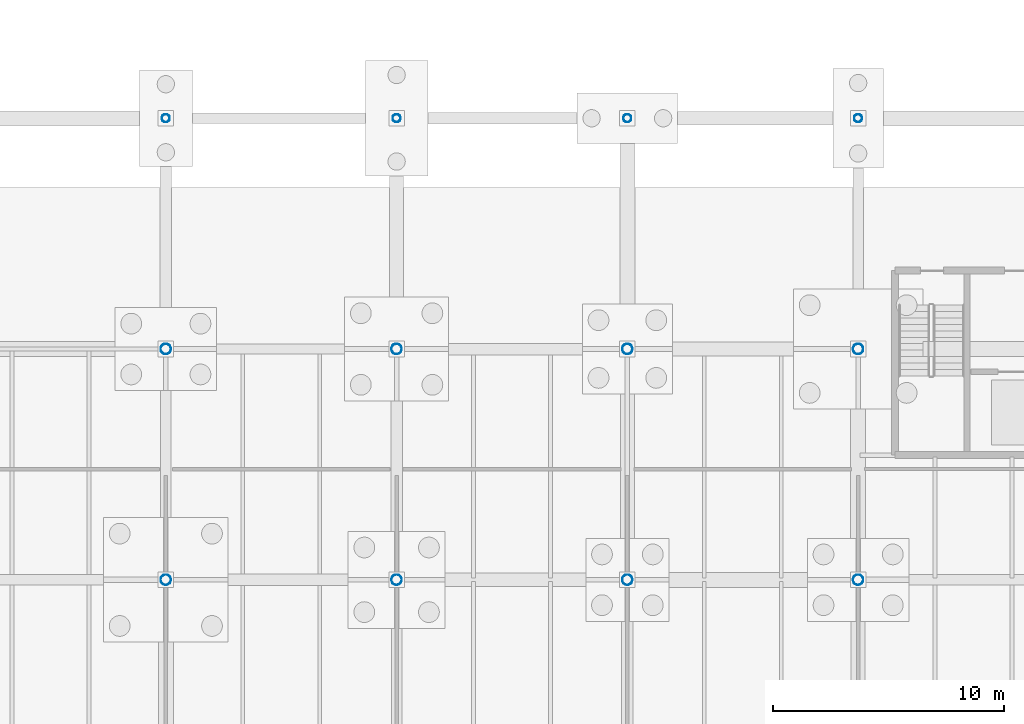
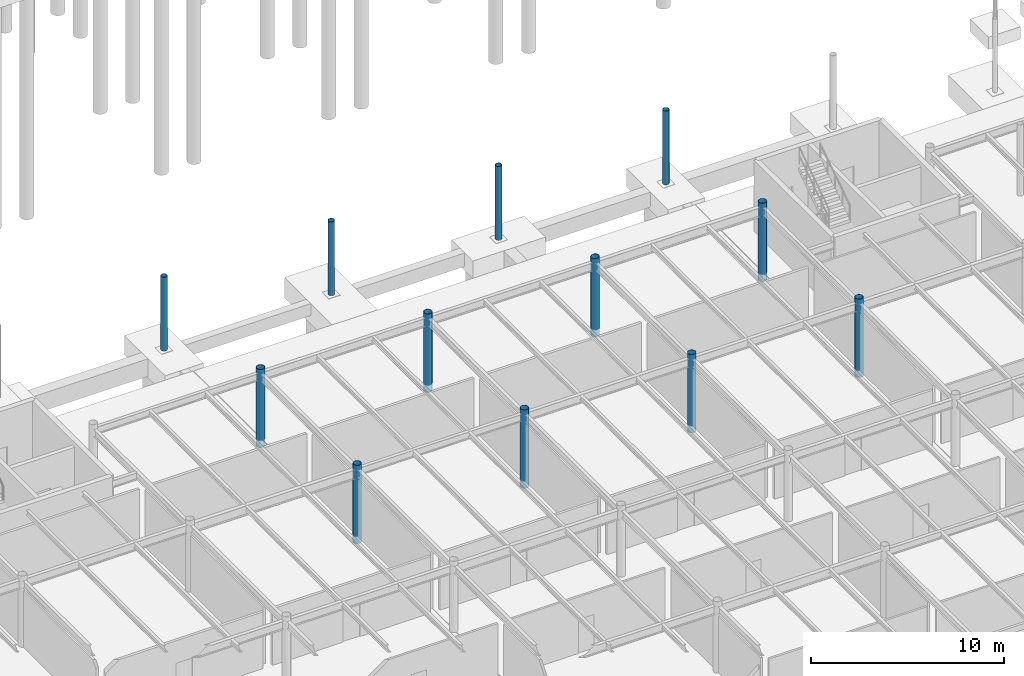
# One storey, part 24 of 75: 12 columns.
"""IFC4 building model written with IfcOpenShell, lengths in metres."""

import ifcopenshell
import ifcopenshell.guid

model = None  # the IFC model being written
_history = None  # IfcOwnerHistory: only IFC2X3 demands one
_inside = {}  # id of a spatial element -> (the spatial element, [elements in it])
_under = {}  # id of a project, library or spatial element -> (it, [spatial elements below it])
_declared = {}  # id of a project -> (the project, [libraries it declares])
_typed = {}  # id of a type object -> (the type object, [elements of that type])
_made_of = {}  # id of a material, layer set ... -> (it, [elements and type objects made of it])


def new_model(schema):
    """Start an empty IFC model of exactly this schema.

    Asked for "IFC4X3", IfcOpenShell would pick the latest addendum, in which some entities
    have other attributes; the version numbers below select the first issue.
    IFC2X3 requires an IfcOwnerHistory on every rooted entity: one is made here for all.
    """
    global model, _history
    if schema == "IFC4X3":
        model = ifcopenshell.file(schema_version=(4, 3, 0, 0))
    else:
        model = ifcopenshell.file(schema=schema)
    _inside.clear()
    _under.clear()
    _declared.clear()
    _typed.clear()
    _made_of.clear()
    _history = None
    if model.schema == "IFC2X3":
        org = make("IfcOrganization", Name="unknown")
        user = make(
            "IfcPersonAndOrganization",
            ThePerson=make("IfcPerson", FamilyName="unknown"),
            TheOrganization=org,
        )
        app = make(
            "IfcApplication",
            ApplicationDeveloper=org,
            Version="unknown",
            ApplicationFullName="unknown",
            ApplicationIdentifier="unknown",
        )
        _history = make(
            "IfcOwnerHistory",
            OwningUser=user,
            OwningApplication=app,
            ChangeAction="ADDED",
            CreationDate=0,
        )
    return model


def make(cls, **values):
    """One entity of the class cls with the attributes given. An attribute that is None is left unset."""
    return model.create_entity(
        cls, **{name: value for name, value in values.items() if value is not None}
    )


def rooted(cls, **values):
    """An entity with a GlobalId (a new one), such as an element, a storey or a relation."""
    return make(cls, GlobalId=ifcopenshell.guid.new(), OwnerHistory=_history, **values)


def si_unit(unit_type, name, prefix=None):
    """IfcSIUnit, for example si_unit("LENGTHUNIT", "METRE", prefix="MILLI")."""
    return make("IfcSIUnit", UnitType=unit_type, Prefix=prefix, Name=name)


def derived_unit(unit_type, elements):
    """IfcDerivedUnit: a product of units, each with its exponent."""
    return make(
        "IfcDerivedUnit",
        Elements=[
            make("IfcDerivedUnitElement", Unit=unit, Exponent=power)
            for unit, power in elements
        ],
        UnitType=unit_type,
    )


def assignment(units):
    """IfcUnitAssignment: the units of a project."""
    return None if units is None else make("IfcUnitAssignment", Units=units)


def point(xyz):
    """IfcCartesianPoint."""
    return None if xyz is None else make("IfcCartesianPoint", Coordinates=xyz)


def direction(xyz):
    """IfcDirection."""
    return None if xyz is None else make("IfcDirection", DirectionRatios=xyz)


def frame(location, z_axis=None, x_axis=None):
    """IfcAxis2Placement3D, a coordinate frame: its origin and axes. An axis left out is left unset."""
    return make(
        "IfcAxis2Placement3D",
        Location=point(location),
        Axis=direction(z_axis),
        RefDirection=direction(x_axis),
    )


def frame_2d(location, x_axis=None):
    """IfcAxis2Placement2D, a coordinate frame in the plane: its origin and x axis."""
    return make(
        "IfcAxis2Placement2D", Location=point(location), RefDirection=direction(x_axis)
    )


def origin():
    """The frame at (0, 0, 0) with its axes left unset."""
    return frame((0.0, 0.0, 0.0))


def origin_2d_with_axis():
    """The frame at (0, 0) in the plane with the x axis (1, 0) written out."""
    return frame_2d((0.0, 0.0), x_axis=(1.0, 0.0))


def place(relative_to, where):
    """IfcLocalPlacement: puts the frame where relative to a parent placement (None: the world)."""
    return make(
        "IfcLocalPlacement", PlacementRelTo=relative_to, RelativePlacement=where
    )


def context(
    kind, dimensions, precision=None, world=None, true_north=None, identifier=None
):
    """IfcGeometricRepresentationContext, for example the 3D "Model" context."""
    return make(
        "IfcGeometricRepresentationContext",
        ContextIdentifier=identifier,
        ContextType=kind,
        CoordinateSpaceDimension=dimensions,
        Precision=precision,
        WorldCoordinateSystem=world,
        TrueNorth=true_north,
    )


def subcontext(parent, identifier, kind, view, scale=None):
    """IfcGeometricRepresentationSubContext, for example "Body" below "Model"."""
    return make(
        "IfcGeometricRepresentationSubContext",
        ContextIdentifier=identifier,
        ContextType=kind,
        ParentContext=parent,
        TargetScale=scale,
        TargetView=view,
    )


def project(units=None, contexts=None):
    """IfcProject with its units and contexts."""
    return rooted(
        "IfcProject",
        Name="project",
        RepresentationContexts=contexts,
        UnitsInContext=assignment(units),
    )


def spatial(cls, under=None, at=None, **own):
    """A site, building, storey or space (cls), placed at a placement, below another one or the project."""
    s = rooted(cls, ObjectPlacement=at, **own)
    if under is not None:
        _under.setdefault(under.id(), (under, []))[1].append(s)
    return s


def profile(cls, at=None, kind="AREA", **sizes):
    """A parametric profile (cls). Its sizes go by their IFC names, for example OverallWidth=200.0."""
    return make(cls, ProfileType=kind, Position=at, **sizes)


def hollow_circle(**sizes):
    """IfcCircleHollowProfileDef."""
    return profile("IfcCircleHollowProfileDef", **sizes)


def extrude(swept, where, along, depth):
    """IfcExtrudedAreaSolid: the profile swept, set in the frame where, extruded along a direction by depth."""
    return make(
        "IfcExtrudedAreaSolid",
        SweptArea=swept,
        Position=where,
        ExtrudedDirection=direction(along),
        Depth=depth,
    )


def shape(context_of_items, identifier, shape_type, items):
    """IfcShapeRepresentation: the items that make up one representation, for example the "Body"."""
    return make(
        "IfcShapeRepresentation",
        ContextOfItems=context_of_items,
        RepresentationIdentifier=identifier,
        RepresentationType=shape_type,
        Items=items,
    )


def material(Name=None, Category=None):
    """IfcMaterial."""
    return make("IfcMaterial", Name=Name, Category=Category)


def material_profile(
    of_material, cross_section, Name=None, Category=None, Priority=None
):
    """IfcMaterialProfile: a cross section and its material."""
    return make(
        "IfcMaterialProfile",
        Name=Name,
        Material=of_material,
        Profile=cross_section,
        Priority=Priority,
        Category=Category,
    )


def profile_set(profiles, Name=None, composite=None):
    """IfcMaterialProfileSet."""
    return make(
        "IfcMaterialProfileSet",
        Name=Name,
        MaterialProfiles=profiles,
        CompositeProfile=composite,
    )


def made_of(thing, what):
    """Note that an element or type object is made of a material, layer set ...; save() writes the relation."""
    if what is not None:
        _made_of.setdefault(what.id(), (what, []))[1].append(thing)
    return thing


def type_object(cls, material=None, **own):
    """A type object (cls), such as IfcWallType, which elements share."""
    return made_of(rooted(cls, **own), material)


def element(
    cls,
    number,
    at=None,
    inside=None,
    cuts=None,
    type_object=None,
    material=None,
    context=None,
    identifier="Body",
    shape_type=None,
    held_by="IfcProductDefinitionShape",
    body=None,
    shapes=None,
    **own,
):
    """One element of the class cls, such as IfcWall. Its Tag is "e" and its number.

    at: its placement. inside: the storey or other place that contains it. cuts: it is an
    opening in that element (IfcRelVoidsElement). A single representation is given by context,
    identifier, shape_type and body (its items); several are given by shapes. held_by: the class
    of the entity that holds the representations. save() writes the other relations.
    """
    e = rooted(cls, Tag="e%d" % number, ObjectPlacement=at, **own)
    if body is not None:
        shapes = [shape(context, identifier, shape_type, body)]
    if shapes is not None:
        e.Representation = make(held_by, Representations=shapes)
    if inside is not None:
        _inside.setdefault(inside.id(), (inside, []))[1].append(e)
    if cuts is not None:
        rooted(
            "IfcRelVoidsElement", RelatingBuildingElement=cuts, RelatedOpeningElement=e
        )
    if type_object is not None:
        _typed.setdefault(type_object.id(), (type_object, []))[1].append(e)
    return made_of(e, material)


def aggregate(whole, parts):
    """IfcRelAggregates: a whole, such as a stair, and the parts it consists of."""
    return rooted("IfcRelAggregates", RelatingObject=whole, RelatedObjects=parts)


def save(model, path):
    """Write the relations noted so far, then the file.

    IfcRelAggregates (storeys below a building ...), IfcRelContainedInSpatialStructure (elements
    in a storey), IfcRelDefinesByType, IfcRelAssociatesMaterial and IfcRelDeclares: one each for
    every whole, place, type object, material and project.
    """
    for whole, parts in _under.values():
        aggregate(whole, parts)
    for where, things in _inside.values():
        rooted(
            "IfcRelContainedInSpatialStructure",
            RelatedElements=things,
            RelatingStructure=where,
        )
    for kind, things in _typed.values():
        rooted("IfcRelDefinesByType", RelatedObjects=things, RelatingType=kind)
    for what, things in _made_of.values():
        rooted("IfcRelAssociatesMaterial", RelatedObjects=things, RelatingMaterial=what)
    for by, libraries in _declared.values():
        rooted("IfcRelDeclares", RelatingContext=by, RelatedDefinitions=libraries)
    model.write(path)


model = new_model("IFC4")

# Units and contexts
model_context = context("Model", 3, precision=1e-05, world=origin(), true_north=direction((0.0, 1.0)))
body_context = subcontext(model_context, "Body", "Model", "MODEL_VIEW")
ifc_project = project(units=[si_unit("LENGTHUNIT", "METRE"), si_unit("AREAUNIT", "SQUARE_METRE"), si_unit("VOLUMEUNIT", "CUBIC_METRE"), si_unit("PLANEANGLEUNIT", "RADIAN"), si_unit("MASSUNIT", "GRAM", prefix="KILO"), derived_unit("THERMALTRANSMITTANCEUNIT", [(si_unit("POWERUNIT", "WATT"), 1), (si_unit("LENGTHUNIT", "METRE"), -2), (si_unit("THERMODYNAMICTEMPERATUREUNIT", "KELVIN"), -1)])], contexts=[model_context])

# Site, building, storey
site_placement = place(None, origin())
site = spatial("IfcSite", under=ifc_project, at=site_placement, CompositionType="ELEMENT")
building_placement = place(site_placement, origin())
building = spatial("IfcBuilding", under=site, at=building_placement, Name="Cinnabar Yard Market Hall", CompositionType="ELEMENT")
storey_placement = place(building_placement, frame((0.0, 0.0, -4.5)))
storey = spatial("IfcBuildingStorey", under=building, at=storey_placement, Name="B1", CompositionType="ELEMENT", Elevation=-4.5)

# Columns
ifc_material = material(Name="Spotted-gum glulam-clad steel Grade 350 (350 MPa)", Category="steel")
ifc_material_profile_1 = material_profile(ifc_material, hollow_circle(Radius=0.228515625, WallThickness=0.0126953125, at=origin_2d_with_axis()), Name="457.0x12.7CHS")
ifc_profile_set_1 = profile_set([ifc_material_profile_1], Name="Spotted-gum glulam-clad steel Grade 350 (350 MPa)")
column_type_1 = type_object("IfcColumnType", Name="COL-C01", PredefinedType="COLUMN", material=ifc_profile_set_1)
for number, where, z_axis, x_axis, name in (
    (1, (106.0, 54.0, -0.449951171875), (0.0, 0.0, 1.0), (1.0, 0.0, 0.0), "Tree Column V1I-04-04 B1"),
    (2, (106.0, 64.0, -0.449951171875), (0.0, 0.0, 1.0), (1.0, 0.0, 0.0), "Tree Column V1I-04-05 B1"),
    (3, (116.0, 54.0, -0.449951171875), (0.0, 0.0, 1.0), (1.0, 0.0, 0.0), "Tree Column V1I-05-04 B1"),
    (4, (116.0, 64.0, -0.449951171875), (0.0, 0.0, 1.0), (1.0, 0.0, 0.0), "Tree Column V1I-05-05 B1"),
    (5, (126.0, 54.0, -0.449951171875), (0.0, 0.0, 1.0), (1.0, 0.0, 0.0), "Tree Column V1I-06-04 B1"),
    (6, (126.0, 64.0, -0.449951171875), (0.0, 0.0, 1.0), (1.0, 0.0, 0.0), "Tree Column V1I-06-05 B1"),
    (7, (136.0, 54.0, -0.449951171875), (0.0, 0.0, 1.0), (1.0, 0.0, 0.0), "Tree Column V1I-07-04 B1"),
    (8, (136.0, 64.0, -0.449951171875), (0.0, 0.0, 1.0), (1.0, 0.0, 0.0), "Tree Column V1I-07-05 B1"),
):
    element("IfcColumn", number, at=place(storey_placement, frame(where, z_axis=z_axis, x_axis=x_axis)), inside=storey, type_object=column_type_1, Name=name, PredefinedType="COLUMN", context=body_context, shape_type="SweptSolid", body=[
        extrude(hollow_circle(Radius=0.228515625, WallThickness=0.0126953125, at=origin_2d_with_axis()), origin(), (0.0, 0.0, 1.0), 4.949951171875),
    ])
ifc_material_profile_2 = material_profile(ifc_material, hollow_circle(Radius=0.177734375, WallThickness=0.0126953125, at=origin_2d_with_axis()), Name="355.6x12.7CHS")
ifc_profile_set_2 = profile_set([ifc_material_profile_2], Name="Spotted-gum glulam-clad steel Grade 350 (350 MPa)")
column_type_2 = type_object("IfcColumnType", Name="COL-C02", PredefinedType="COLUMN", material=ifc_profile_set_2)
for number, where, z_axis, x_axis, name in (
    (9, (106.0, 74.0, -0.449951171875), (0.0, 0.0, 1.0), (1.0, 0.0, 0.0), "Tree Column V1N-03 B1"),
    (10, (116.0, 74.0, -0.449951171875), (0.0, 0.0, 1.0), (1.0, 0.0, 0.0), "Tree Column V1N-04 B1"),
    (11, (126.0, 74.0, -0.449951171875), (0.0, 0.0, 1.0), (1.0, 0.0, 0.0), "Tree Column V1N-05 B1"),
    (12, (136.0, 74.0, -0.449951171875), (0.0, 0.0, 1.0), (1.0, 0.0, 0.0), "Tree Column V1N-06 B1"),
):
    element("IfcColumn", number, at=place(storey_placement, frame(where, z_axis=z_axis, x_axis=x_axis)), inside=storey, type_object=column_type_2, Name=name, PredefinedType="COLUMN", context=body_context, shape_type="SweptSolid", body=[
        extrude(hollow_circle(Radius=0.177734375, WallThickness=0.0126953125, at=origin_2d_with_axis()), origin(), (0.0, 0.0, 1.0), 4.669921875),
    ])

save(model, "model.ifc")
